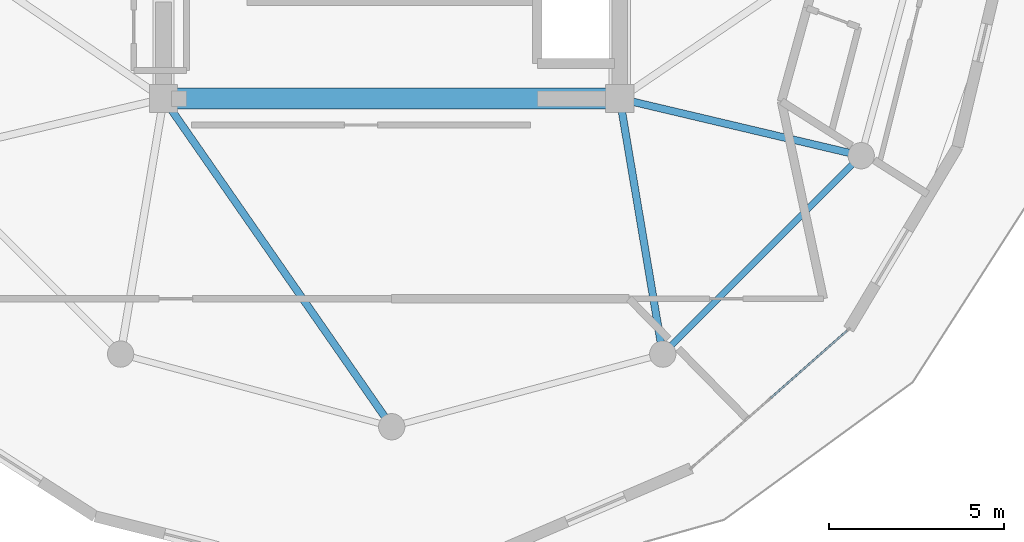
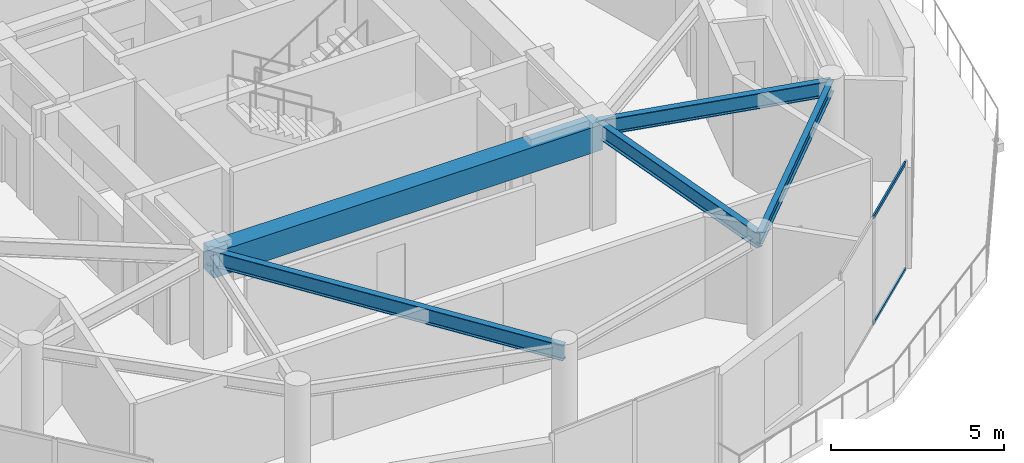
# One storey, part 6 of 22: 5 beams, 2 members, 1 element without a shape of its own.
"""IFC4 building model written with IfcOpenShell, lengths in metres."""

from ifc_helpers import new_model, si_unit, direction, frame, origin, origin_2d, place, context, subcontext, project, spatial, rectangle, hollow_rectangle, i_section, extrude, source, transform, mapped, material, layer, layer_set, material_profile, profile_set, type_object, element, aggregate, save


model = new_model("IFC4")

# Units and contexts
model_context = context("Model", 3, precision=1e-05, world=origin(), true_north=direction((0.0, 1.0)))
body_context = subcontext(model_context, "Body", "Model", "MODEL_VIEW")
ifc_project = project(units=[si_unit("LENGTHUNIT", "METRE"), si_unit("AREAUNIT", "SQUARE_METRE"), si_unit("VOLUMEUNIT", "CUBIC_METRE"), si_unit("PLANEANGLEUNIT", "RADIAN"), si_unit("MASSUNIT", "GRAM", prefix="KILO")], contexts=[model_context])

# Site, building, storey
site_placement = place(None, origin())
site = spatial("IfcSite", under=ifc_project, at=site_placement, CompositionType="ELEMENT")
building_placement = place(site_placement, origin())
building = spatial("IfcBuilding", under=site, at=building_placement, Name="Solvirekh Grand Hotel", CompositionType="ELEMENT")
storey_placement = place(building_placement, frame((0.0, 0.0, 293.39990234375)))
storey = spatial("IfcBuildingStorey", under=building, at=storey_placement, Name="L76", CompositionType="ELEMENT", Elevation=293.39990234375)

# Beams
ifc_material_1 = material(Name="Concrete C50/60", Category="concrete")
ifc_material_profile_1 = material_profile(ifc_material_1, rectangle(XDim=0.60009765625, YDim=0.89990234375, at=origin_2d()), Name="RC BEAM 600X900")
ifc_profile_set_1 = profile_set([ifc_material_profile_1], Name="Concrete C50/60")
beam_type_1 = type_object("IfcBeamType", Name="Beam_Core_RC900", PredefinedType="BEAM", material=ifc_profile_set_1)
beam_1_placement = place(storey_placement, frame((-6.5, -6.10009765625, 3.1201171875), z_axis=(1.0, 0.0, 0.0), x_axis=(0.0, 1.0, 0.0)))
element("IfcBeam", 1, at=beam_1_placement, inside=storey, type_object=beam_type_1, Name="L76 core coupling ring beam 1", PredefinedType="BEAM", context=body_context, shape_type="SweptSolid", body=[
    extrude(rectangle(XDim=0.60009765625, YDim=0.89990234375, at=origin_2d()), origin(), (0.0, 0.0, 1.0), 13.0),
])
ifc_material_2 = material(Name="Steel S355", Category="steel")
ifc_material_profile_2 = material_profile(ifc_material_2, i_section(OverallWidth=0.2119140625, OverallDepth=0.5439453125, WebThickness=0.011962890625, FlangeThickness=0.01904296875, FilletRadius=0.013916015625, at=origin_2d()), Name="W530X123")
ifc_profile_set_2 = profile_set([ifc_material_profile_2], Name="Steel S355")
beam_type_2 = type_object("IfcBeamType", Name="Beam_Radial_W530H", PredefinedType="BEAM", material=ifc_profile_set_2)
beam_2_placement = place(storey_placement, frame((-6.5, -6.10009765625, 3.298095703125), z_axis=(0.570813192472, -0.821079959139, 0.0), x_axis=(0.821079959139, 0.570813192472, 0.0)))
element("IfcBeam", 2, at=beam_2_placement, inside=storey, type_object=beam_type_2, Name="L76 radial floor beam R10", PredefinedType="BEAM", context=body_context, shape_type="SweptSolid", body=[
    extrude(i_section(OverallWidth=0.2119140625, OverallDepth=0.5439453125, WebThickness=0.011962890625, FlangeThickness=0.01904296875, FilletRadius=0.013916015625, at=origin_2d()), origin(), (0.0, 0.0, 1.0), 11.38720703125),
])
beam_3_placement = place(storey_placement, frame((6.5, -6.10009765625, 3.298095703125), z_axis=(0.165954049106, -0.986133486697, 0.0), x_axis=(0.986133486697, 0.165954049106, 0.0)))
element("IfcBeam", 3, at=beam_3_placement, inside=storey, type_object=beam_type_2, Name="L76 radial floor beam R11", PredefinedType="BEAM", context=body_context, shape_type="SweptSolid", body=[
    extrude(i_section(OverallWidth=0.2119140625, OverallDepth=0.5439453125, WebThickness=0.011962890625, FlangeThickness=0.01904296875, FilletRadius=0.013916015625, at=origin_2d()), origin(), (0.0, 0.0, 1.0), 7.382080078125),
])
beam_4_placement = place(storey_placement, frame((6.5, -6.10009765625, 3.298095703125), z_axis=(0.973221147544, -0.229870828888, 0.0), x_axis=(0.229870828888, 0.973221147544, 0.0)))
element("IfcBeam", 4, at=beam_4_placement, inside=storey, type_object=beam_type_2, Name="L76 radial floor beam R12", PredefinedType="BEAM", context=body_context, shape_type="SweptSolid", body=[
    extrude(i_section(OverallWidth=0.2119140625, OverallDepth=0.5439453125, WebThickness=0.011962890625, FlangeThickness=0.01904296875, FilletRadius=0.013916015625, at=origin_2d()), origin(), (0.0, 0.0, 1.0), 7.069091796875),
])
ifc_material_profile_3 = material_profile(ifc_material_2, i_section(OverallWidth=0.180908203125, OverallDepth=0.4169921875, WebThickness=0.010009765625, FlangeThickness=0.01611328125, FilletRadius=0.011962890625, at=origin_2d()), Name="W410X85")
ifc_profile_set_3 = profile_set([ifc_material_profile_3], Name="Steel S355")
beam_type_3 = type_object("IfcBeamType", Name="Spandrel_Ring_W410", PredefinedType="SPANDREL", material=ifc_profile_set_3)
beam_5_placement = place(storey_placement, frame((7.72509765625, -13.3798828125, 3.362060546875), z_axis=(0.707106781187, 0.707106781187, 0.0), x_axis=(-0.707106781187, 0.707106781187, 0.0)))
element("IfcBeam", 5, at=beam_5_placement, inside=storey, type_object=beam_type_3, Name="L76 perimeter spandrel beam 11", PredefinedType="SPANDREL", context=body_context, shape_type="SweptSolid", body=[
    extrude(i_section(OverallWidth=0.180908203125, OverallDepth=0.4169921875, WebThickness=0.010009765625, FlangeThickness=0.01611328125, FilletRadius=0.011962890625, at=origin_2d()), origin(), (0.0, 0.0, 1.0), 7.9970703125),
])

# Curtain wall, members
ifc_material_3 = material(Name="Anodized Bronze Aluminium 6063-T6", Category="aluminium")
ifc_layer = layer(ifc_material_3, 0.159912109375)
ifc_layer_set = layer_set([ifc_layer], Name="Anodized Bronze Aluminium 6063-T6")
curtain_wall_type = type_object("IfcCurtainWallType", Name="CW_Sys4_HighZoneFlushBronzeCW", PredefinedType="NOTDEFINED", material=ifc_layer_set)
curtain_wall_placement = place(storey_placement, origin())
curtain_wall = element("IfcCurtainWall", 6, at=curtain_wall_placement, inside=storey, type_object=curtain_wall_type, Name="L76 unitised bronze-glass curtain wall CW-L76-C03", PredefinedType="NOTDEFINED")
ifc_material_profile_4 = material_profile(ifc_material_3, hollow_rectangle(XDim=0.054931640625, YDim=0.1201171875, WallThickness=0.00390625, at=origin_2d()), Name="ALU RHS 120X55X4")
ifc_profile_set_4 = profile_set([ifc_material_profile_4], Name="Anodized Bronze Aluminium 6063-T6")
member_type = type_object("IfcMemberType", Name="CWTransom_Sys4", PredefinedType="USERDEFINED", material=ifc_profile_set_4)
shared_shape = source(origin(), body_context, "Body", "SweptSolid", [
    extrude(hollow_rectangle(XDim=0.054931640625, YDim=0.1201171875, WallThickness=0.00390625, at=origin_2d()), origin(), (0.0, 0.0, 1.0), 2.90234375),
])
member_1_placement = place(storey_placement, frame((10.802001953125, -14.630126953125, 0.027587890625), z_axis=(0.750085739894, 0.661340595161, 0.0), x_axis=(-0.661340595161, 0.750085739894, 0.0)))
member_1 = element("IfcMember", 7, at=member_1_placement, type_object=member_type, Name="U04 transom 2.1", ObjectType="TRANSOM", PredefinedType="USERDEFINED", context=body_context, shape_type="MappedRepresentation", body=[
    mapped(shared_shape, transform((0.0, 0.0, 0.0), x_axis=(1.0, 0.0, 0.0), y_axis=(0.0, 1.0, 0.0), z_axis=(0.0, 0.0, 1.0), scale=1.0)),
])
member_2_placement = place(storey_placement, frame((10.802001953125, -14.630126953125, 3.772705078125), z_axis=(0.750085739894, 0.661340595161, 0.0), x_axis=(-0.661340595161, 0.750085739894, 0.0)))
member_2 = element("IfcMember", 8, at=member_2_placement, type_object=member_type, Name="U04 transom 2.2", ObjectType="TRANSOM", PredefinedType="USERDEFINED", context=body_context, shape_type="MappedRepresentation", body=[
    mapped(shared_shape, transform((0.0, 0.0, 0.0), x_axis=(1.0, 0.0, 0.0), y_axis=(0.0, 1.0, 0.0), z_axis=(0.0, 0.0, 1.0), scale=1.0)),
])
aggregate(curtain_wall, [member_1, member_2])

save(model, "model.ifc")
